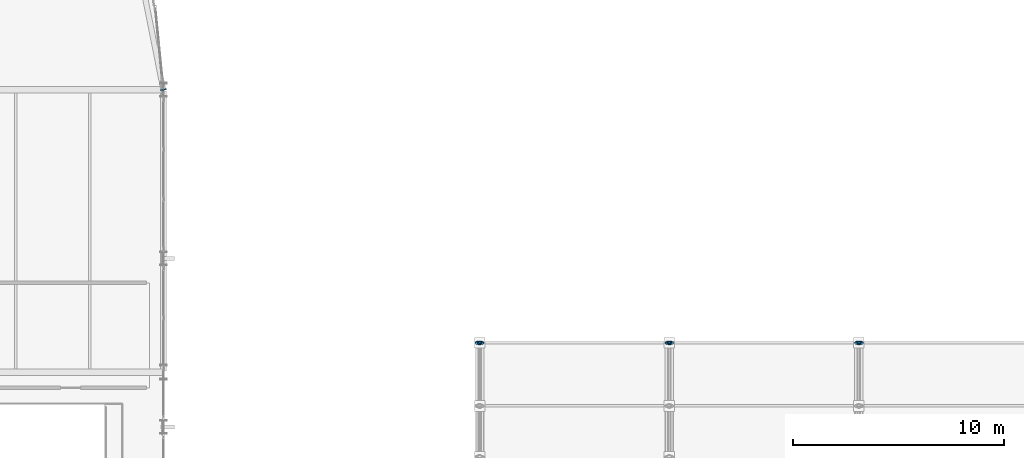
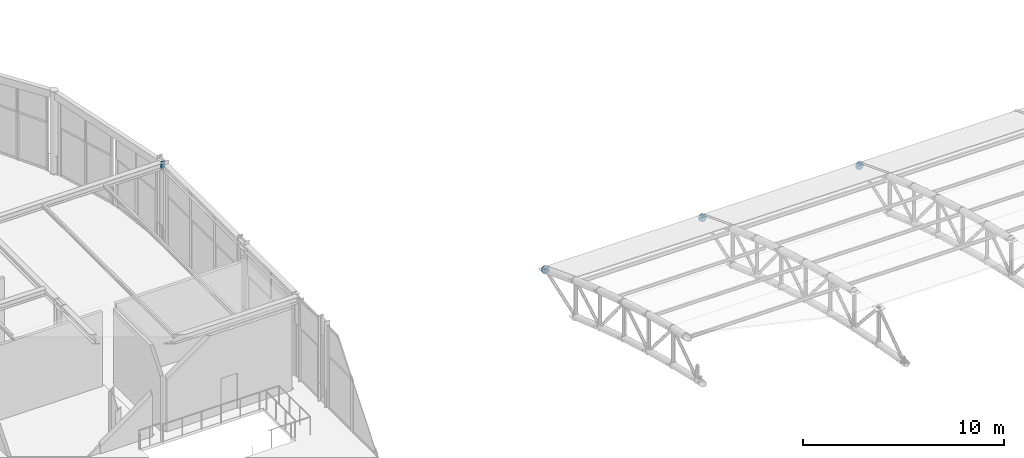
# One storey, part 161 of 195: 7 discrete accessories.
"""IFC4 building model written with IfcOpenShell, lengths in metres."""

from ifc_helpers import new_model, si_unit, direction, frame, origin, origin_2d, place, context, subcontext, project, spatial, rectangle, circle, extrude, material, element, save


model = new_model("IFC4")

# Units and contexts
model_context = context("Model", 3, precision=1e-05, world=origin(), true_north=direction((0.0, 1.0)))
body_context = subcontext(model_context, "Body", "Model", "MODEL_VIEW")
ifc_project = project(units=[si_unit("LENGTHUNIT", "METRE"), si_unit("AREAUNIT", "SQUARE_METRE"), si_unit("VOLUMEUNIT", "CUBIC_METRE"), si_unit("PLANEANGLEUNIT", "RADIAN"), si_unit("MASSUNIT", "GRAM", prefix="KILO")], contexts=[model_context])

# Site, building, storey
site_placement = place(None, origin())
site = spatial("IfcSite", under=ifc_project, at=site_placement, CompositionType="ELEMENT")
building_placement = place(site_placement, origin())
building = spatial("IfcBuilding", under=site, at=building_placement, Name="Marlcrest Central Station", CompositionType="ELEMENT")
storey_placement = place(building_placement, frame((0.0, 0.0, 9.800048828125)))
storey = spatial("IfcBuildingStorey", under=building, at=storey_placement, Name="L02", CompositionType="ELEMENT", Elevation=9.800048828125)

# Discrete accessories
ifc_material = material(Name="Steel S355", Category="steel")
discrete_accessory_1_placement = place(storey_placement, frame((144.0, 98.4765625, 0.454833984375), z_axis=(0.0, 0.933324071143, -0.359035065453), x_axis=(-1.0, 0.0, 0.0)))
element("IfcDiscreteAccessory", 1, at=discrete_accessory_1_placement, inside=storey, material=ifc_material, Name="endcap-mem-AC-01-L02-01188-e", ObjectType="END_CAP_PLATE", PredefinedType="BRACKET", context=body_context, shape_type="SweptSolid", body=[
    extrude(circle(Radius=0.211181640625, at=origin_2d()), origin(), (0.0, 0.0, 1.0), 0.0400390625),
])
discrete_accessory_2_placement = place(storey_placement, frame((144.0, 98.476318359375, 0.4375), z_axis=(0.0, 0.944260188635, 0.329200085296), x_axis=(-1.0, 0.0, 0.0)))
element("IfcDiscreteAccessory", 2, at=discrete_accessory_2_placement, inside=storey, material=ifc_material, Name="endcap-mem-AD-01-L02-01190-e", ObjectType="END_CAP_PLATE", PredefinedType="BRACKET", context=body_context, shape_type="SweptSolid", body=[
    extrude(circle(Radius=0.092041015625, at=origin_2d()), origin(), (0.0, 0.0, 1.0), 0.0400390625),
])
discrete_accessory_3_placement = place(storey_placement, frame((153.0, 98.4765625, 0.454833984375), z_axis=(0.0, 0.933324071143, -0.359035065453), x_axis=(-1.0, 0.0, 0.0)))
element("IfcDiscreteAccessory", 3, at=discrete_accessory_3_placement, inside=storey, material=ifc_material, Name="endcap-mem-AC-01-L02-01304-e", ObjectType="END_CAP_PLATE", PredefinedType="BRACKET", context=body_context, shape_type="SweptSolid", body=[
    extrude(circle(Radius=0.211181640625, at=origin_2d()), origin(), (0.0, 0.0, 1.0), 0.0400390625),
])
discrete_accessory_4_placement = place(storey_placement, frame((153.0, 98.476318359375, 0.4375), z_axis=(0.0, 0.944260188635, 0.329200085296), x_axis=(-1.0, 0.0, 0.0)))
element("IfcDiscreteAccessory", 4, at=discrete_accessory_4_placement, inside=storey, material=ifc_material, Name="endcap-mem-AD-01-L02-01306-e", ObjectType="END_CAP_PLATE", PredefinedType="BRACKET", context=body_context, shape_type="SweptSolid", body=[
    extrude(circle(Radius=0.092041015625, at=origin_2d()), origin(), (0.0, 0.0, 1.0), 0.0400390625),
])
discrete_accessory_5_placement = place(storey_placement, frame((162.0, 98.4765625, 0.454833984375), z_axis=(0.0, 0.933324071143, -0.359035065453), x_axis=(-1.0, 0.0, 0.0)))
element("IfcDiscreteAccessory", 5, at=discrete_accessory_5_placement, inside=storey, material=ifc_material, Name="endcap-mem-AC-01-L02-01420-e", ObjectType="END_CAP_PLATE", PredefinedType="BRACKET", context=body_context, shape_type="SweptSolid", body=[
    extrude(circle(Radius=0.211181640625, at=origin_2d()), origin(), (0.0, 0.0, 1.0), 0.0400390625),
])
discrete_accessory_6_placement = place(storey_placement, frame((162.0, 98.476318359375, 0.4375), z_axis=(0.0, 0.944260188635, 0.329200085296), x_axis=(-1.0, 0.0, 0.0)))
element("IfcDiscreteAccessory", 6, at=discrete_accessory_6_placement, inside=storey, material=ifc_material, Name="endcap-mem-AD-01-L02-01422-e", ObjectType="END_CAP_PLATE", PredefinedType="BRACKET", context=body_context, shape_type="SweptSolid", body=[
    extrude(circle(Radius=0.092041015625, at=origin_2d()), origin(), (0.0, 0.0, 1.0), 0.0400390625),
])
discrete_accessory_7_placement = place(storey_placement, frame((128.9951171875, 110.5244140625, 4.77001953125), z_axis=(0.19517056122, -0.980769316421, 0.0), x_axis=(0.980769316421, 0.19517056122, 0.0)))
element("IfcDiscreteAccessory", 7, at=discrete_accessory_7_placement, inside=storey, material=ifc_material, Name="endcap-bm-SP-02-L02-01484-e", ObjectType="END_CAP_PLATE", PredefinedType="BRACKET", context=body_context, shape_type="SweptSolid", body=[
    extrude(rectangle(XDim=0.26611328125, YDim=0.466064453125, at=origin_2d()), origin(), (0.0, 0.0, 1.0), 0.0400390625),
])

save(model, "model.ifc")
